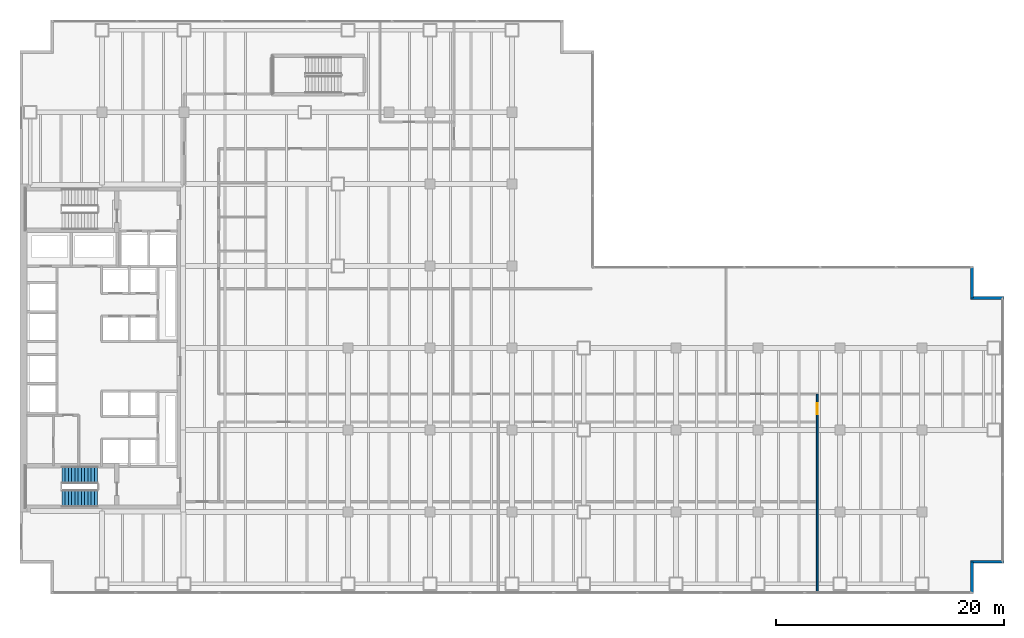
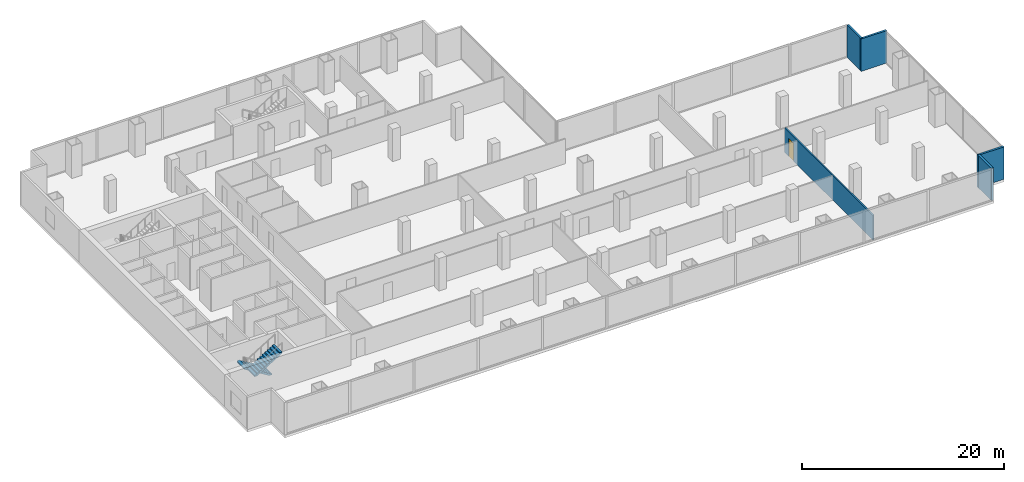
# One storey, part 26 of 29: 5 walls, 2 stair flights, 1 door, 1 opening, 1 element without a shape of its own.
"""IFC4 building model written with IfcOpenShell, lengths in metres."""

from ifc_helpers import new_model, si_unit, direction, frame, frame_2d, origin, place, context, subcontext, project, spatial, polyline, rectangle, outline, extrude, material, layer, layer_set, type_object, element, fill, aggregate, save


model = new_model("IFC4")

# Units and contexts
model_context = context("Model", 3, precision=1e-05, world=origin(), true_north=direction((0.0, 1.0)))
body_context = subcontext(model_context, "Body", "Model", "MODEL_VIEW")
ifc_project = project(units=[si_unit("LENGTHUNIT", "METRE"), si_unit("AREAUNIT", "SQUARE_METRE"), si_unit("VOLUMEUNIT", "CUBIC_METRE"), si_unit("PLANEANGLEUNIT", "RADIAN"), si_unit("MASSUNIT", "GRAM", prefix="KILO")], contexts=[model_context])

# Site, building, storey
site_placement = place(None, origin())
site = spatial("IfcSite", under=ifc_project, at=site_placement, CompositionType="ELEMENT")
building_placement = place(site_placement, origin())
building = spatial("IfcBuilding", under=site, at=building_placement, Name="Cobrela Telecom Tower", CompositionType="ELEMENT")
storey_placement = place(building_placement, frame((0.0, 0.0, 13.64990234375)))
storey = spatial("IfcBuildingStorey", under=building, at=storey_placement, Name="L03", CompositionType="ELEMENT", Elevation=13.64990234375)

# Walls
ifc_material_1 = material(Name="Concrete C40/50", Category="concrete")
ifc_layer_1 = layer(ifc_material_1, 0.239990234375)
ifc_layer_set_1 = layer_set([ifc_layer_1], Name="Concrete C40/50")
wall_type_1 = type_object("IfcWallType", Name="WALL-EXT-300", PredefinedType="STANDARD", material=ifc_layer_set_1)
wall_1_placement = place(storey_placement, frame((83.580078125, 28.679931640625, 0.0), z_axis=(0.0, 0.0, 1.0), x_axis=(0.0, -1.0, 0.0)))
element("IfcWall", 1, at=wall_1_placement, inside=storey, type_object=wall_type_1, Name="L03 Insulated Facade Wall 12", PredefinedType="STANDARD", context=body_context, shape_type="SweptSolid", body=[
    extrude(rectangle(XDim=2.699951171875, YDim=0.239990234375, at=frame_2d((1.35009765625, 0.0))), origin(), (0.0, 0.0, 1.0), 3.91015625),
])
for number, where, z_axis, x_axis, name in (
    (2, (83.4599609375, 25.97998046875, 0.0), (0.0, 0.0, 1.0), (1.0, 0.0, 0.0), "L03 Insulated Facade Wall 13"),
    (3, (86.39990234375, 2.820068359375, 0.0), (0.0, 0.0, 1.0), (-1.0, 0.0, 0.0), "L03 Insulated Facade Wall 15"),
):
    element("IfcWall", number, at=place(storey_placement, frame(where, z_axis=z_axis, x_axis=x_axis)), inside=storey, type_object=wall_type_1, Name=name, PredefinedType="STANDARD", context=body_context, shape_type="SweptSolid", body=[
        extrude(rectangle(XDim=2.93994140625, YDim=0.239990234375, at=frame_2d((1.469970703125, 0.0))), origin(), (0.0, 0.0, 1.0), 3.91015625),
    ])
wall_2_placement = place(storey_placement, frame((83.580078125, 2.820068359375, 0.0), z_axis=(0.0, 0.0, 1.0), x_axis=(0.0, -1.0, 0.0)))
element("IfcWall", 4, at=wall_2_placement, inside=storey, type_object=wall_type_1, Name="L03 Insulated Facade Wall 16", PredefinedType="STANDARD", context=body_context, shape_type="SweptSolid", body=[
    extrude(rectangle(XDim=2.699951171875, YDim=0.239990234375, at=frame_2d((1.35009765625, 0.0))), origin(), (0.0, 0.0, 1.0), 3.91015625),
])

# Wall, opening, door
ifc_material_2 = material(Name="Fire-Rated Gypsum Plasterboard")
ifc_layer_2 = layer(ifc_material_2, 0.14990234375)
ifc_layer_set_2 = layer_set([ifc_layer_2], Name="Fire-Rated Gypsum Plasterboard")
wall_type_2 = type_object("IfcWallType", Name="WALL-PART-150", PredefinedType="PARTITIONING", material=ifc_layer_set_2)
wall_3_placement = place(storey_placement, frame((70.0, 0.1201171875, 0.0), z_axis=(0.0, 0.0, 1.0), x_axis=(0.0, 1.0, 0.0)))
wall_3 = element("IfcWall", 5, at=wall_3_placement, inside=storey, type_object=wall_type_2, Name="L03 Interior Partition W-PC-END", PredefinedType="PARTITIONING", context=body_context, shape_type="SweptSolid", body=[
    extrude(rectangle(XDim=17.429931640625, YDim=0.14990234375, at=frame_2d((8.71484375, 0.0))), origin(), (0.0, 0.0, 1.0), 2.968017578125),
])
opening_placement = place(wall_3_placement, frame((15.64990234375, 0.0, 0.0)))
opening = element("IfcOpeningElement", 6, at=opening_placement, cuts=wall_3, Name="Opening DR-31", PredefinedType="OPENING", context=body_context, shape_type="SweptSolid", body=[
    extrude(rectangle(XDim=1.0, YDim=2.14990234375, at=frame_2d((0.5, 1.074951171875))), frame((0.0, 0.0869140625, 0.0), z_axis=(0.0, -1.0, 0.0), x_axis=(1.0, 0.0, 0.0)), (0.0, 0.0, 1.0), 0.173828125),
])
ifc_material_3 = material(Name="Solid Engineered Oak Timber", Category="wood")
door_type = type_object("IfcDoorType", Name="DOOR-INT-1000", OperationType="SINGLE_SWING_LEFT", PredefinedType="DOOR", material=ifc_material_3)
door_placement = place(opening_placement, origin())
door = element("IfcDoor", 7, at=door_placement, inside=storey, type_object=door_type, Name="L03 Door DR-31", OperationType="SINGLE_SWING_LEFT", OverallHeight=2.14990234375, OverallWidth=1.0, PredefinedType="DOOR", context=body_context, shape_type="SweptSolid", body=[
    extrude(rectangle(XDim=1.0, YDim=2.14990234375, at=frame_2d((0.5, 1.074951171875))), frame((0.0, 0.02490234375, 0.0), z_axis=(0.0, -1.0, 0.0), x_axis=(1.0, 0.0, 0.0)), (0.0, 0.0, 1.0), 0.050048828125),
])
fill(opening, door)

# Stair, stair flights
stair_type = type_object("IfcStairType", Name="STAIR-CORE", PredefinedType="HALF_TURN_STAIR", material=ifc_material_1)
stair_placement = place(storey_placement, origin())
stair = element("IfcStair", 8, at=stair_placement, inside=storey, type_object=stair_type, Name="L03 Smokeproof Exit Stair ST2", PredefinedType="HALF_TURN_STAIR")
stair_flight_type = type_object("IfcStairFlightType", Name="FLIGHT-CORE", PredefinedType="STRAIGHT", material=ifc_material_1)
stair_flight_1_placement = place(storey_placement, frame((6.820068359375, 10.449951171875, 0.0), z_axis=(0.0, 0.0, 1.0), x_axis=(-1.0, 0.0, 0.0)))
stair_flight_1 = element("IfcStairFlight", 9, at=stair_flight_1_placement, type_object=stair_flight_type, Name="ST2 flight 1", NumberOfRisers=12, NumberOfTreads=11, PredefinedType="STRAIGHT", RiserHeight=0.175, TreadLength=0.285, context=body_context, shape_type="SweptSolid", body=[
    extrude(outline(polyline([(0.0, 0.0), (0.0, 0.175048828125), (0.284912109375, 0.175048828125), (0.284912109375, 0.35009765625), (0.570068359375, 0.35009765625), (0.570068359375, 0.52490234375), (0.85498046875, 0.52490234375), (0.85498046875, 0.699951171875), (1.139892578125, 0.699951171875), (1.139892578125, 0.875), (1.425048828125, 0.875), (1.425048828125, 1.050048828125), (1.7099609375, 1.050048828125), (1.7099609375, 1.22509765625), (1.9951171875, 1.22509765625), (1.9951171875, 1.39990234375), (2.280029296875, 1.39990234375), (2.280029296875, 1.574951171875), (2.56494140625, 1.574951171875), (2.56494140625, 1.75), (2.85009765625, 1.75), (2.85009765625, 1.925048828125), (3.135009765625, 1.925048828125), (3.135009765625, 2.10009765625), (3.135009765625, 1.7490234375), (0.286376953125, 0.0), (0.0, 0.0)])), frame((0.0, 0.75, 0.0), z_axis=(0.0, -1.0, 0.0), x_axis=(1.0, 0.0, 0.0)), (0.0, 0.0, 1.0), 1.5),
])
stair_flight_2_placement = place(storey_placement, frame((3.68505859375, 8.39990234375, 2.10009765625), z_axis=(0.0, 0.0, 1.0), x_axis=(1.0, 0.0, 0.0)))
stair_flight_2 = element("IfcStairFlight", 10, at=stair_flight_2_placement, type_object=stair_flight_type, Name="ST2 flight 2", NumberOfRisers=12, NumberOfTreads=11, PredefinedType="STRAIGHT", RiserHeight=0.175, TreadLength=0.285, context=body_context, shape_type="SweptSolid", body=[
    extrude(outline(polyline([(0.0, 0.0), (0.0, 0.175048828125), (0.284912109375, 0.175048828125), (0.284912109375, 0.35009765625), (0.570068359375, 0.35009765625), (0.570068359375, 0.52490234375), (0.85498046875, 0.52490234375), (0.85498046875, 0.699951171875), (1.139892578125, 0.699951171875), (1.139892578125, 0.875), (1.425048828125, 0.875), (1.425048828125, 1.050048828125), (1.7099609375, 1.050048828125), (1.7099609375, 1.22509765625), (1.9951171875, 1.22509765625), (1.9951171875, 1.39990234375), (2.280029296875, 1.39990234375), (2.280029296875, 1.574951171875), (2.56494140625, 1.574951171875), (2.56494140625, 1.75), (2.85009765625, 1.75), (2.85009765625, 1.925048828125), (3.135009765625, 1.925048828125), (3.135009765625, 2.10009765625), (3.135009765625, 1.7490234375), (0.286376953125, 0.0), (0.0, 0.0)])), frame((0.0, 0.75, 0.0), z_axis=(0.0, -1.0, 0.0), x_axis=(1.0, 0.0, 0.0)), (0.0, 0.0, 1.0), 1.5),
])
aggregate(stair, [stair_flight_1, stair_flight_2])

save(model, "model.ifc")
